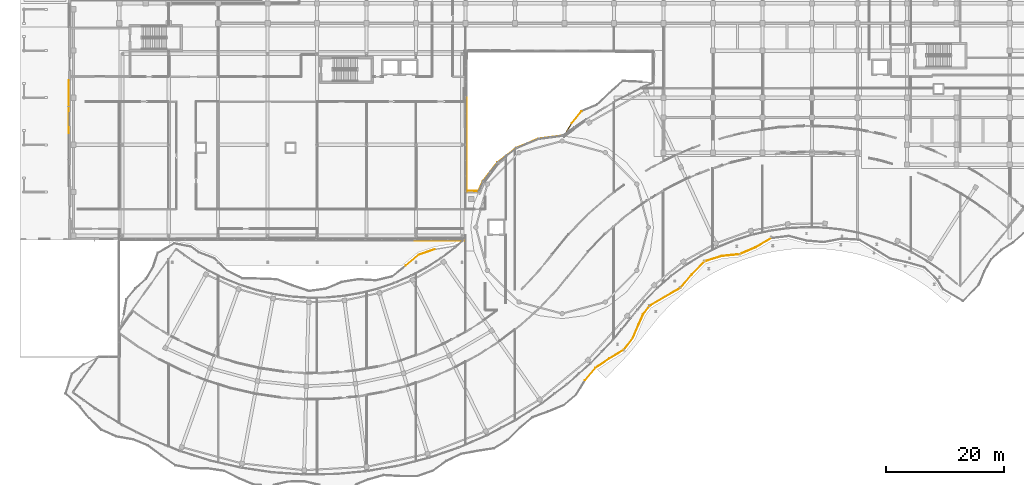
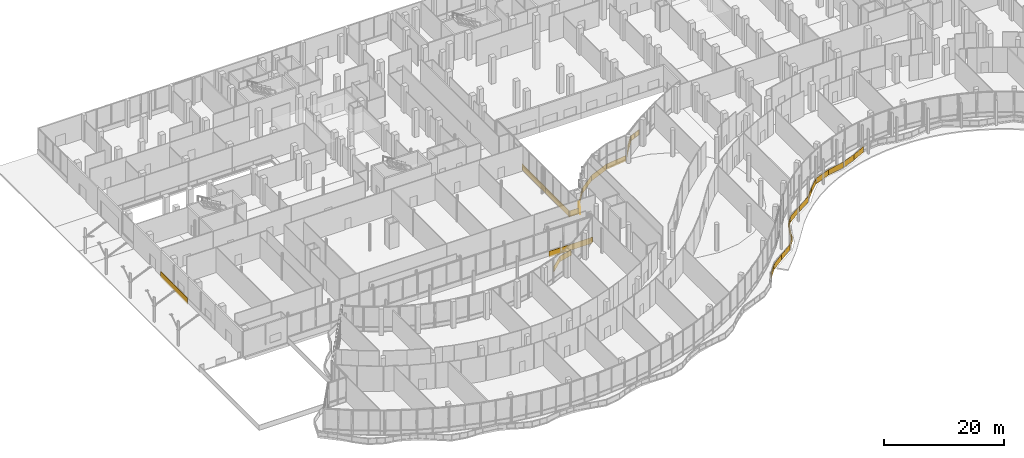
# One storey, part 151 of 158: 28 coverings, 1 railing.
"""IFC4 building model written with IfcOpenShell, lengths in metres."""

from ifc_helpers import new_model, si_unit, direction, frame, origin, origin_2d, place, context, subcontext, project, spatial, polyline, rectangle, outline, extrude, material, layer, layer_set, type_object, element, save


model = new_model("IFC4")

# Units and contexts
model_context = context("Model", 3, precision=1e-05, world=origin(), true_north=direction((0.0, 1.0)))
body_context = subcontext(model_context, "Body", "Model", "MODEL_VIEW")
ifc_project = project(units=[si_unit("LENGTHUNIT", "METRE"), si_unit("AREAUNIT", "SQUARE_METRE"), si_unit("VOLUMEUNIT", "CUBIC_METRE"), si_unit("PLANEANGLEUNIT", "RADIAN"), si_unit("MASSUNIT", "GRAM", prefix="KILO")], contexts=[model_context])

# Site, building, storey
site_placement = place(None, origin())
site = spatial("IfcSite", under=ifc_project, at=site_placement, CompositionType="ELEMENT")
building_placement = place(site_placement, origin())
building = spatial("IfcBuilding", under=site, at=building_placement, Name="Selatvlak General Hospital", CompositionType="ELEMENT")
storey_placement = place(building_placement, origin())
storey = spatial("IfcBuildingStorey", under=building, at=storey_placement, Name="L00", CompositionType="ELEMENT", Elevation=0.0)

# Coverings
ifc_material_1 = material(Name="PVDF aluminium fascia - oxide red", Category="aluminium")
ifc_layer_1 = layer(ifc_material_1, 0.070068359375, Name="PVDF aluminium fascia - oxide red", Category="aluminium")
ifc_layer_set_1 = layer_set([ifc_layer_1], Name="PVDF aluminium fascia - oxide red")
covering_type_1 = type_object("IfcCoveringType", Name="COV-RB-RED", PredefinedType="CLADDING", material=ifc_layer_set_1)
covering_1_placement = place(storey_placement, frame((101.89990234375, 28.052978515625, -0.2919921875), z_axis=(0.0, 0.0, 1.0), x_axis=(0.648437920722, 0.761267537053, 0.0)))
element("IfcCovering", 1, at=covering_1_placement, inside=storey, type_object=covering_type_1, Name="L00 De Stijl waving fascia streamer 046", PredefinedType="CLADDING", context=body_context, shape_type="SweptSolid", body=[
    extrude(outline(polyline([(0.0, 0.0), (2.75439453125, -0.125), (2.75439453125, 1.014892578125), (0.0, 1.139892578125), (0.0, 0.0)])), frame((0.0, 0.03515625, 0.0), z_axis=(0.0, -1.0, 0.0), x_axis=(1.0, 0.0, 0.0)), (0.0, 0.0, 1.0), 0.070068359375),
])
covering_2_placement = place(storey_placement, frame((103.68505859375, 30.14990234375, -0.4169921875), z_axis=(0.0, 0.0, 1.0), x_axis=(0.829377398673, 0.558688760017, 0.0)))
element("IfcCovering", 2, at=covering_2_placement, inside=storey, type_object=covering_type_1, Name="L00 De Stijl waving fascia streamer 047", PredefinedType="CLADDING", context=body_context, shape_type="SweptSolid", body=[
    extrude(outline(polyline([(0.0, 0.0), (2.792236328125, 0.198974609375), (2.792236328125, 1.3388671875), (0.0, 1.139892578125), (0.0, 0.0)])), frame((0.0, 0.03515625, 0.0), z_axis=(0.0, -1.0, 0.0), x_axis=(1.0, 0.0, 0.0)), (0.0, 0.0, 1.0), 0.070068359375),
])
covering_3_placement = place(storey_placement, frame((106.0009765625, 31.708984375, -0.218017578125), z_axis=(0.0, 0.0, 1.0), x_axis=(0.855937473733, 0.517079337298, 0.0)))
element("IfcCovering", 3, at=covering_3_placement, inside=storey, type_object=covering_type_1, Name="L00 De Stijl waving fascia streamer 048", PredefinedType="CLADDING", context=body_context, shape_type="SweptSolid", body=[
    extrude(outline(polyline([(0.0, 0.0), (2.8740234375, 0.2509765625), (2.8740234375, 1.390869140625), (0.0, 1.139892578125), (0.0, 0.0)])), frame((0.0, 0.03515625, 0.0), z_axis=(0.0, -1.0, 0.0), x_axis=(1.0, 0.0, 0.0)), (0.0, 0.0, 1.0), 0.070068359375),
])
covering_4_placement = place(storey_placement, frame((108.4609375, 33.195068359375, 0.032958984375), z_axis=(0.0, 0.0, 1.0), x_axis=(0.616921216475, 0.787024912353, 0.0)))
element("IfcCovering", 4, at=covering_4_placement, inside=storey, type_object=covering_type_1, Name="L00 De Stijl waving fascia streamer 049", PredefinedType="CLADDING", context=body_context, shape_type="SweptSolid", body=[
    extrude(outline(polyline([(0.0, 0.0), (2.480224609375, -0.01806640625), (2.480224609375, 1.121826171875), (0.0, 1.139892578125), (0.0, 0.0)])), frame((0.0, 0.03515625, 0.0), z_axis=(0.0, -1.0, 0.0), x_axis=(1.0, 0.0, 0.0)), (0.0, 0.0, 1.0), 0.070068359375),
])
covering_5_placement = place(storey_placement, frame((109.989990234375, 35.14599609375, 0.014892578125), z_axis=(0.0, 0.0, 1.0), x_axis=(0.389617528809, 0.920976753911, 0.0)))
element("IfcCovering", 5, at=covering_5_placement, inside=storey, type_object=covering_type_1, Name="L00 De Stijl waving fascia streamer 050", PredefinedType="CLADDING", context=body_context, shape_type="SweptSolid", body=[
    extrude(outline(polyline([(0.0, 0.0), (2.48193359375, -0.23291015625), (2.48193359375, 0.906982421875), (0.0, 1.139892578125), (0.0, 0.0)])), frame((0.0, 0.03515625, 0.0), z_axis=(0.0, -1.0, 0.0), x_axis=(1.0, 0.0, 0.0)), (0.0, 0.0, 1.0), 0.070068359375),
])
covering_6_placement = place(storey_placement, frame((110.95703125, 37.431884765625, -0.218017578125), z_axis=(0.0, 0.0, 1.0), x_axis=(0.407112197354, 0.913378157592, 0.0)))
element("IfcCovering", 6, at=covering_6_placement, inside=storey, type_object=covering_type_1, Name="L00 De Stijl waving fascia streamer 051", PredefinedType="CLADDING", context=body_context, shape_type="SweptSolid", body=[
    extrude(outline(polyline([(0.0, 0.0), (1.930419921875, -0.1669921875), (1.930419921875, 0.972900390625), (0.0, 1.139892578125), (0.0, 0.0)])), frame((0.0, 0.03515625, 0.0), z_axis=(0.0, -1.0, 0.0), x_axis=(1.0, 0.0, 0.0)), (0.0, 0.0, 1.0), 0.070068359375),
])
covering_7_placement = place(storey_placement, frame((111.743896484375, 39.196044921875, -0.385009765625), z_axis=(0.0, 0.0, 1.0), x_axis=(0.596151668703, 0.802871837782, 0.0)))
element("IfcCovering", 7, at=covering_7_placement, inside=storey, type_object=covering_type_1, Name="L00 De Stijl waving fascia streamer 052", PredefinedType="CLADDING", context=body_context, shape_type="SweptSolid", body=[
    extrude(outline(polyline([(0.0, 0.0), (1.7998046875, -0.02294921875), (1.7998046875, 1.116943359375), (0.0, 1.139892578125), (0.0, 0.0)])), frame((0.0, 0.03515625, 0.0), z_axis=(0.0, -1.0, 0.0), x_axis=(1.0, 0.0, 0.0)), (0.0, 0.0, 1.0), 0.070068359375),
])
covering_8_placement = place(storey_placement, frame((112.81689453125, 40.64111328125, -0.407958984375), z_axis=(0.0, 0.0, 1.0), x_axis=(0.862081598816, 0.506769490975, 0.0)))
element("IfcCovering", 8, at=covering_8_placement, inside=storey, type_object=covering_type_1, Name="L00 De Stijl waving fascia streamer 053", PredefinedType="CLADDING", context=body_context, shape_type="SweptSolid", body=[
    extrude(outline(polyline([(0.0, 0.0), (3.10791015625, 0.27587890625), (3.10791015625, 1.415771484375), (0.0, 1.139892578125), (0.0, 0.0)])), frame((0.0, 0.03515625, 0.0), z_axis=(0.0, -1.0, 0.0), x_axis=(1.0, 0.0, 0.0)), (0.0, 0.0, 1.0), 0.070068359375),
])
covering_9_placement = place(storey_placement, frame((115.4970703125, 42.217041015625, -0.132080078125), z_axis=(0.0, 0.0, 1.0), x_axis=(0.864909490697, 0.501927856273, 0.0)))
element("IfcCovering", 9, at=covering_9_placement, inside=storey, type_object=covering_type_1, Name="L00 De Stijl waving fascia streamer 054", PredefinedType="CLADDING", context=body_context, shape_type="SweptSolid", body=[
    extrude(outline(polyline([(0.0, 0.0), (2.978271484375, 0.191162109375), (2.978271484375, 1.3310546875), (0.0, 1.139892578125), (0.0, 0.0)])), frame((0.0, 0.03515625, 0.0), z_axis=(0.0, -1.0, 0.0), x_axis=(1.0, 0.0, 0.0)), (0.0, 0.0, 1.0), 0.070068359375),
])
covering_10_placement = place(storey_placement, frame((118.073974609375, 43.712890625, 0.05908203125), z_axis=(0.0, 0.0, 1.0), x_axis=(0.647233492715, 0.762291811518, 0.0)))
element("IfcCovering", 10, at=covering_10_placement, inside=storey, type_object=covering_type_1, Name="L00 De Stijl waving fascia streamer 055", PredefinedType="CLADDING", context=body_context, shape_type="SweptSolid", body=[
    extrude(outline(polyline([(0.0, 0.0), (3.006591796875, -0.22802734375), (3.006591796875, 0.911865234375), (0.0, 1.139892578125), (0.0, 0.0)])), frame((0.0, 0.03515625, 0.0), z_axis=(0.0, -1.0, 0.0), x_axis=(1.0, 0.0, 0.0)), (0.0, 0.0, 1.0), 0.070068359375),
])
covering_11_placement = place(storey_placement, frame((120.02099609375, 46.006103515625, -0.1689453125), z_axis=(0.0, 0.0, 1.0), x_axis=(0.698924643876, 0.715195317507, 0.0)))
element("IfcCovering", 11, at=covering_11_placement, inside=storey, type_object=covering_type_1, Name="L00 De Stijl waving fascia streamer 056", PredefinedType="CLADDING", context=body_context, shape_type="SweptSolid", body=[
    extrude(outline(polyline([(0.0, 0.0), (3.075927734375, -0.248046875), (3.075927734375, 0.891845703125), (0.0, 1.139892578125), (0.0, 0.0)])), frame((0.0, 0.03515625, 0.0), z_axis=(0.0, -1.0, 0.0), x_axis=(1.0, 0.0, 0.0)), (0.0, 0.0, 1.0), 0.070068359375),
])
covering_12_placement = place(storey_placement, frame((122.172119140625, 48.2060546875, -0.4169921875), z_axis=(0.0, 0.0, 1.0), x_axis=(0.9541909857, 0.299198199874, 0.0)))
element("IfcCovering", 12, at=covering_12_placement, inside=storey, type_object=covering_type_1, Name="L00 De Stijl waving fascia streamer 057", PredefinedType="CLADDING", context=body_context, shape_type="SweptSolid", body=[
    extrude(outline(polyline([(0.0, 0.0), (3.041259765625, 0.1689453125), (3.041259765625, 1.308837890625), (0.0, 1.139892578125), (0.0, 0.0)])), frame((0.0, 0.03515625, 0.0), z_axis=(0.0, -1.0, 0.0), x_axis=(1.0, 0.0, 0.0)), (0.0, 0.0, 1.0), 0.070068359375),
])
covering_13_placement = place(storey_placement, frame((125.074951171875, 49.116943359375, -0.248046875), z_axis=(0.0, 0.0, 1.0), x_axis=(0.994801740586, 0.10183072683, 0.0)))
element("IfcCovering", 13, at=covering_13_placement, inside=storey, type_object=covering_type_1, Name="L00 De Stijl waving fascia streamer 058", PredefinedType="CLADDING", context=body_context, shape_type="SweptSolid", body=[
    extrude(outline(polyline([(0.0, 0.0), (3.06396484375, 0.2880859375), (3.06396484375, 1.427978515625), (0.0, 1.139892578125), (0.0, 0.0)])), frame((0.0, 0.03515625, 0.0), z_axis=(0.0, -1.0, 0.0), x_axis=(1.0, 0.0, 0.0)), (0.0, 0.0, 1.0), 0.070068359375),
])
covering_14_placement = place(storey_placement, frame((128.125, 49.428955078125, 0.0400390625), z_axis=(0.0, 0.0, 1.0), x_axis=(0.919045804033, 0.394150745388, 0.0)))
element("IfcCovering", 14, at=covering_14_placement, inside=storey, type_object=covering_type_1, Name="L00 De Stijl waving fascia streamer 059", PredefinedType="CLADDING", context=body_context, shape_type="SweptSolid", body=[
    extrude(outline(polyline([(0.0, 0.0), (2.927978515625, -0.09814453125), (2.927978515625, 1.041748046875), (0.0, 1.139892578125), (0.0, 0.0)])), frame((0.0, 0.03515625, 0.0), z_axis=(0.0, -1.0, 0.0), x_axis=(1.0, 0.0, 0.0)), (0.0, 0.0, 1.0), 0.070068359375),
])
covering_15_placement = place(storey_placement, frame((130.81689453125, 50.583984375, -0.05810546875), z_axis=(0.0, 0.0, 1.0), x_axis=(0.864384293446, 0.502831774298, 0.0)))
element("IfcCovering", 15, at=covering_15_placement, inside=storey, type_object=covering_type_1, Name="L00 De Stijl waving fascia streamer 060", PredefinedType="CLADDING", context=body_context, shape_type="SweptSolid", body=[
    extrude(outline(polyline([(0.0, 0.0), (3.1123046875, -0.31201171875), (3.1123046875, 0.827880859375), (0.0, 1.139892578125), (0.0, 0.0)])), frame((0.0, 0.03515625, 0.0), z_axis=(0.0, -1.0, 0.0), x_axis=(1.0, 0.0, 0.0)), (0.0, 0.0, 1.0), 0.070068359375),
])
covering_16_placement = place(storey_placement, frame((101.278076171875, 73.68994140625, -0.27001953125), z_axis=(0.0, 0.0, 1.0), x_axis=(-0.629047372897, -0.777366967816, 0.0)))
element("IfcCovering", 16, at=covering_16_placement, inside=storey, type_object=covering_type_1, Name="L00 De Stijl waving fascia streamer 087", PredefinedType="CLADDING", context=body_context, shape_type="SweptSolid", body=[
    extrude(outline(polyline([(0.0, 0.0), (2.607421875, 0.010009765625), (2.607421875, 1.14990234375), (0.0, 1.139892578125), (0.0, 0.0)])), frame((0.0, 0.03515625, 0.0), z_axis=(0.0, -1.0, 0.0), x_axis=(1.0, 0.0, 0.0)), (0.0, 0.0, 1.0), 0.070068359375),
])
covering_17_placement = place(storey_placement, frame((76.389892578125, 50.27490234375, -0.14990234375), z_axis=(0.0, 0.0, 1.0), x_axis=(-0.946591159792, -0.322436313408, 0.0)))
element("IfcCovering", 17, at=covering_17_placement, inside=storey, type_object=covering_type_1, Name="L00 De Stijl waving fascia streamer 088", PredefinedType="CLADDING", context=body_context, shape_type="SweptSolid", body=[
    extrude(outline(polyline([(0.0, 0.0), (2.88720703125, 0.2099609375), (2.88720703125, 1.349853515625), (0.0, 1.139892578125), (0.0, 0.0)])), frame((0.0, 0.03515625, 0.0), z_axis=(0.0, -1.0, 0.0), x_axis=(1.0, 0.0, 0.0)), (0.0, 0.0, 1.0), 0.070068359375),
])
covering_18_placement = place(storey_placement, frame((73.656005859375, 49.343994140625, 0.06005859375), z_axis=(0.0, 0.0, 1.0), x_axis=(-0.766157721435, -0.642652585684, 0.0)))
element("IfcCovering", 18, at=covering_18_placement, inside=storey, type_object=covering_type_1, Name="L00 De Stijl waving fascia streamer 089", PredefinedType="CLADDING", context=body_context, shape_type="SweptSolid", body=[
    extrude(outline(polyline([(0.0, 0.0), (2.8662109375, -0.197998046875), (2.8662109375, 0.94189453125), (0.0, 1.139892578125), (0.0, 0.0)])), frame((0.0, 0.03515625, 0.0), z_axis=(0.0, -1.0, 0.0), x_axis=(1.0, 0.0, 0.0)), (0.0, 0.0, 1.0), 0.070068359375),
])
ifc_material_2 = material(Name="White Bauhaus fair-faced cladding panel")
ifc_layer_2 = layer(ifc_material_2, 0.054931640625, Name="White Bauhaus fair-faced cladding panel")
ifc_layer_set_2 = layer_set([ifc_layer_2], Name="White Bauhaus fair-faced cladding panel")
covering_type_2 = type_object("IfcCoveringType", Name="COV-WHT1", PredefinedType="CLADDING", material=ifc_layer_set_2)
covering_19_placement = place(storey_placement, frame((14.235107421875, 74.4990234375, -0.27978515625), z_axis=(0.0, 0.0, 1.0), x_axis=(0.0, 1.0, 0.0)))
element("IfcCovering", 19, at=covering_19_placement, inside=storey, type_object=covering_type_2, Name="L00 Bauhaus horizontal white spandrel band 0002", PredefinedType="CLADDING", context=body_context, shape_type="SweptSolid", body=[
    extrude(rectangle(XDim=9.0, YDim=0.054931640625, at=origin_2d()), origin(), (0.0, 0.0, 1.0), 1.219970703125),
])
covering_20_placement = place(storey_placement, frame((77.160888671875, 51.738037109375, -0.27978515625), z_axis=(0.0, 0.0, 1.0), x_axis=(-0.999998384157, 0.001797688161, 0.0)))
element("IfcCovering", 20, at=covering_20_placement, inside=storey, type_object=covering_type_2, Name="L00 Bauhaus horizontal white spandrel band 0021", PredefinedType="CLADDING", context=body_context, shape_type="SweptSolid", body=[
    extrude(rectangle(XDim=8.362060546875, YDim=0.054931640625, at=origin_2d()), origin(), (0.0, 0.0, 1.0), 1.219970703125),
])
covering_21_placement = place(storey_placement, frame((82.7099609375, 60.195068359375, -0.27978515625), z_axis=(0.0, 0.0, 1.0), x_axis=(0.999632209807, -0.027119091375, 0.0)))
element("IfcCovering", 21, at=covering_21_placement, inside=storey, type_object=covering_type_2, Name="L00 Bauhaus horizontal white spandrel band 0028", PredefinedType="CLADDING", context=body_context, shape_type="SweptSolid", body=[
    extrude(rectangle(XDim=2.212890625, YDim=0.054931640625, at=origin_2d()), origin(), (0.0, 0.0, 1.0), 1.219970703125),
])
covering_22_placement = place(storey_placement, frame((84.156982421875, 60.89111328125, -0.300048828125), z_axis=(0.0, 0.0, 1.0), x_axis=(0.400301051368, 0.916383690532, 0.0)))
element("IfcCovering", 22, at=covering_22_placement, inside=storey, type_object=covering_type_2, Name="L00 Rotunda white Bauhaus spandrel ring 0029", PredefinedType="CLADDING", context=body_context, shape_type="SweptSolid", body=[
    extrude(rectangle(XDim=1.908935546875, YDim=0.054931640625, at=origin_2d()), origin(), (0.0, 0.0, 1.0), 1.14990234375),
])
for number, where, z_axis, x_axis, name in (
    (23, (85.77587890625, 63.3779296875, -0.300048828125), (0.0, 0.0, 1.0), (0.608747582288, 0.793363965062, 0.0), "L00 Rotunda white Bauhaus spandrel ring 0030"),
    (24, (88.6201171875, 66.221923828125, -0.300048828125), (0.0, 0.0, 1.0), (0.793363965062, 0.608747582288, 0.0), "L00 Rotunda white Bauhaus spandrel ring 0031"),
    (25, (92.10302734375, 68.23291015625, -0.300048828125), (0.0, 0.0, 1.0), (0.923819409341, 0.382828550301, 0.0), "L00 Rotunda white Bauhaus spandrel ring 0032"),
):
    element("IfcCovering", number, at=place(storey_placement, frame(where, z_axis=z_axis, x_axis=x_axis)), inside=storey, type_object=covering_type_2, Name=name, PredefinedType="CLADDING", context=body_context, shape_type="SweptSolid", body=[
        extrude(rectangle(XDim=4.0458984375, YDim=0.054931640625, at=origin_2d()), origin(), (0.0, 0.0, 1.0), 1.14990234375),
    ])
covering_23_placement = place(storey_placement, frame((95.988037109375, 69.27490234375, -0.300048828125), z_axis=(0.0, 0.0, 1.0), x_axis=(0.991419783872, 0.130716533562, 0.0)))
element("IfcCovering", 26, at=covering_23_placement, inside=storey, type_object=covering_type_2, Name="L00 Rotunda white Bauhaus spandrel ring 0033", PredefinedType="CLADDING", context=body_context, shape_type="SweptSolid", body=[
    extrude(rectangle(XDim=4.047119140625, YDim=0.054931640625, at=origin_2d()), origin(), (0.0, 0.0, 1.0), 1.14990234375),
])
for number, where, z_axis, x_axis, name in (
    (27, (81.794921875, 72.030029296875, -0.27978515625), (0.0, 0.0, 1.0), (-0.002513271477, -0.999996841728, 0.0), "L00 Bauhaus horizontal white spandrel band 0040"),
    (28, (81.77490234375, 64.050048828125, -0.27978515625), (0.0, 0.0, 1.0), (-0.002513271477, -0.999996841728, 0.0), "L00 Bauhaus horizontal white spandrel band 0041"),
):
    element("IfcCovering", number, at=place(storey_placement, frame(where, z_axis=z_axis, x_axis=x_axis)), inside=storey, type_object=covering_type_2, Name=name, PredefinedType="CLADDING", context=body_context, shape_type="SweptSolid", body=[
        extrude(rectangle(XDim=7.97998046875, YDim=0.054931640625, at=origin_2d()), origin(), (0.0, 0.0, 1.0), 1.219970703125),
    ])

# Railing
ifc_material_3 = material(Name="Stainless steel 316 safety balustrade", Category="steel")
railing_type = type_object("IfcRailingType", Name="RAIL-BAL1", PredefinedType="BALUSTRADE", material=ifc_material_3)
railing_placement = place(storey_placement, frame((98.636962890625, 70.139892578125, 0.0)))
element("IfcRailing", 29, at=railing_placement, inside=storey, type_object=railing_type, Name="L00 continuous curved balcony balustrade 0006", PredefinedType="BALUSTRADE", context=body_context, shape_type="SweptSolid", body=[
    extrude(rectangle(XDim=0.068115234375, YDim=0.068115234375, at=origin_2d()), frame((0.001708984375, 0.00244140625, 1.0859375), z_axis=(0.54271393608, 0.839917605235, 0.0), x_axis=(-0.839917605235, 0.54271393608, 0.0)), (0.0, 0.0, 1.0), 1.82177734375),
    extrude(rectangle(XDim=0.068115234375, YDim=0.068115234375, at=origin_2d()), frame((0.001708984375, 0.00244140625, 0.049072265625), z_axis=(0.54271393608, 0.839917605235, 0.0), x_axis=(-0.839917605235, 0.54271393608, 0.0)), (0.0, 0.0, 1.0), 1.82177734375),
    extrude(outline(polyline([(0.0, 0.0), (1.815673828125, 0.0), (1.815673828125, 0.94189453125), (0.0, 0.94189453125), (0.0, 0.0)])), frame((-0.011962890625, 0.014892578125, 0.0849609375), z_axis=(0.839917605235, -0.54271393608, 0.0), x_axis=(0.54271393608, 0.839917605235, 0.0)), (0.0, 0.0, 1.0), 0.031982421875),
    extrude(rectangle(XDim=0.068115234375, YDim=0.068115234375, at=origin_2d()), frame((0.993896484375, 1.537353515625, 1.0859375), z_axis=(0.629047372897, 0.777366967816, 0.0), x_axis=(-0.777366967816, 0.629047372897, 0.0)), (0.0, 0.0, 1.0), 2.6015625),
    extrude(rectangle(XDim=0.068115234375, YDim=0.068115234375, at=origin_2d()), frame((0.993896484375, 1.537353515625, 0.049072265625), z_axis=(0.629047372897, 0.777366967816, 0.0), x_axis=(-0.777366967816, 0.629047372897, 0.0)), (0.0, 0.0, 1.0), 2.6015625),
    extrude(outline(polyline([(0.0, 0.0), (2.59521484375, 0.0), (2.59521484375, 0.94189453125), (0.0, 0.94189453125), (0.0, 0.0)])), frame((0.981689453125, 1.551025390625, 0.0849609375), z_axis=(0.777366967816, -0.629047372897, 0.0), x_axis=(0.629047372897, 0.777366967816, 0.0)), (0.0, 0.0, 1.0), 0.031982421875),
    extrude(rectangle(XDim=0.068115234375, YDim=0.068115234375, at=origin_2d()), frame((2.634765625, 3.563232421875, 1.0859375), z_axis=(0.921206915931, 0.389073024046, 0.0), x_axis=(-0.389073024046, 0.921206915931, 0.0)), (0.0, 0.0, 1.0), 2.41064453125),
    extrude(rectangle(XDim=0.068115234375, YDim=0.068115234375, at=origin_2d()), frame((2.634765625, 3.563232421875, 0.049072265625), z_axis=(0.921206915931, 0.389073024046, 0.0), x_axis=(-0.389073024046, 0.921206915931, 0.0)), (0.0, 0.0, 1.0), 2.41064453125),
    extrude(outline(polyline([(0.0, 0.0), (2.404541015625, 0.0), (2.404541015625, 0.94189453125), (0.0, 0.94189453125), (0.0, 0.0)])), frame((2.630615234375, 3.580810546875, 0.0849609375), z_axis=(0.389073024046, -0.921206915931, 0.0), x_axis=(0.921206915931, 0.389073024046, 0.0)), (0.0, 0.0, 1.0), 0.031982421875),
    extrude(rectangle(XDim=0.055908203125, YDim=0.055908203125, at=origin_2d()), origin(), (0.0, 0.0, 1.0), 1.049072265625),
    extrude(rectangle(XDim=0.055908203125, YDim=0.055908203125, at=origin_2d()), frame((0.991943359375, 1.53515625, 0.0)), (0.0, 0.0, 1.0), 1.049072265625),
    extrude(rectangle(XDim=0.055908203125, YDim=0.055908203125, at=origin_2d()), frame((1.81201171875, 2.548583984375, 0.0)), (0.0, 0.0, 1.0), 1.049072265625),
    extrude(rectangle(XDim=0.055908203125, YDim=0.055908203125, at=origin_2d()), frame((2.632080078125, 3.56201171875, 0.0)), (0.0, 0.0, 1.0), 1.049072265625),
    extrude(rectangle(XDim=0.055908203125, YDim=0.055908203125, at=origin_2d()), frame((3.7451171875, 4.0322265625, 0.0)), (0.0, 0.0, 1.0), 1.049072265625),
    extrude(rectangle(XDim=0.055908203125, YDim=0.055908203125, at=origin_2d()), frame((4.858154296875, 4.502197265625, 0.0)), (0.0, 0.0, 1.0), 1.049072265625),
])

save(model, "model.ifc")
